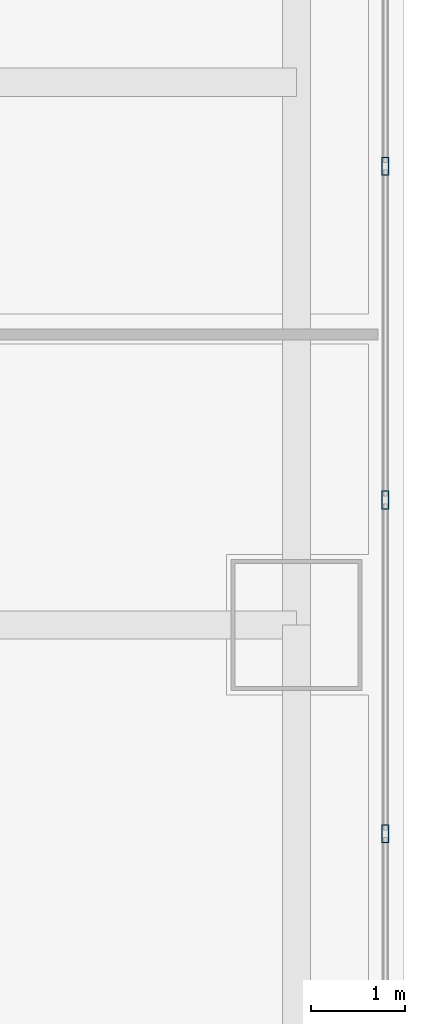
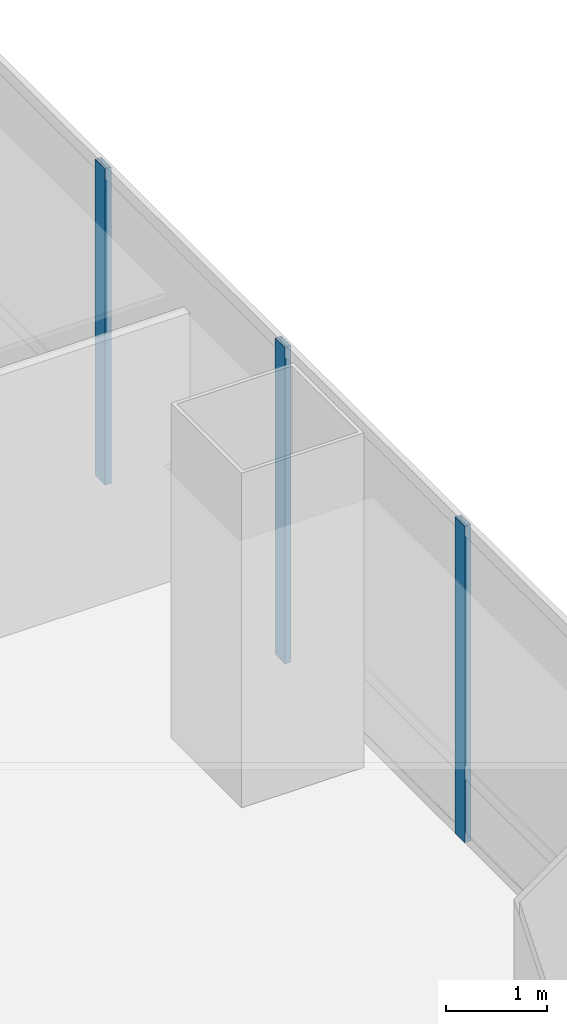
# One storey, part 17 of 36: 3 members, 1 element without a shape of its own.
"""IFC4 building model written with IfcOpenShell, lengths in metres."""

from ifc_helpers import new_model, si_unit, direction, frame, origin, origin_2d, place, context, subcontext, project, spatial, hollow_rectangle, extrude, material, material_profile, profile_set, type_object, element, aggregate, save


model = new_model("IFC4")

# Units and contexts
model_context = context("Model", 3, precision=1e-05, world=origin(), true_north=direction((0.0, 1.0)))
body_context = subcontext(model_context, "Body", "Model", "MODEL_VIEW")
ifc_project = project(units=[si_unit("LENGTHUNIT", "METRE"), si_unit("AREAUNIT", "SQUARE_METRE"), si_unit("VOLUMEUNIT", "CUBIC_METRE"), si_unit("PLANEANGLEUNIT", "RADIAN"), si_unit("MASSUNIT", "GRAM", prefix="KILO")], contexts=[model_context])

# Site, building, storey
site_placement = place(None, origin())
site = spatial("IfcSite", under=ifc_project, at=site_placement, CompositionType="ELEMENT")
building_placement = place(site_placement, origin())
building = spatial("IfcBuilding", under=site, at=building_placement, Name="Punatoya Terracotta Tower", CompositionType="ELEMENT")
storey_placement = place(building_placement, frame((0.0, 0.0, 180.300048828125)))
storey = spatial("IfcBuildingStorey", under=building, at=storey_placement, Name="L42", CompositionType="ELEMENT", Elevation=180.300048828125)

# Curtain wall, members
ifc_material_1 = material(Name="Aluminium 6063-T6 + Double Low-E Glass", Category="aluminium")
curtain_wall_type = type_object("IfcCurtainWallType", Name="CW-M2", PredefinedType="NOTDEFINED", material=ifc_material_1)
curtain_wall_placement = place(storey_placement, origin())
curtain_wall = element("IfcCurtainWall", 1, at=curtain_wall_placement, inside=storey, type_object=curtain_wall_type, Name="L42 Curtain Wall CW-L42-E05-1", PredefinedType="NOTDEFINED")
ifc_material_2 = material(Name="Aluminium 6063-T6", Category="aluminium")
ifc_material_profile = material_profile(ifc_material_2, hollow_rectangle(XDim=0.072021484375, YDim=0.195068359375, WallThickness=0.00439453125, at=origin_2d()))
ifc_profile_set = profile_set([ifc_material_profile], Name="Aluminium 6063-T6")
member_type = type_object("IfcMemberType", Name="CW-MUL-M2", PredefinedType="MULLION", material=ifc_profile_set)
member_1_placement = place(storey_placement, frame((20.050048828125, 1.16748046875, 0.0), z_axis=(0.0, 0.0, 1.0), x_axis=(1.0, 0.0, 0.0)))
member_1 = element("IfcMember", 2, at=member_1_placement, type_object=member_type, Name="CW-L42-E05-1 Mullion 06", PredefinedType="MULLION", context=body_context, shape_type="SweptSolid", body=[
    extrude(hollow_rectangle(XDim=0.072021484375, YDim=0.195068359375, WallThickness=0.00439453125, at=origin_2d()), origin(), (0.0, 0.0, 1.0), 3.829833984375),
])
member_2_placement = place(storey_placement, frame((20.050048828125, 4.73486328125, 0.0), z_axis=(0.0, 0.0, 1.0), x_axis=(1.0, 0.0, 0.0)))
member_2 = element("IfcMember", 3, at=member_2_placement, type_object=member_type, Name="CW-L42-E05-1 Mullion 07", PredefinedType="MULLION", context=body_context, shape_type="SweptSolid", body=[
    extrude(hollow_rectangle(XDim=0.072021484375, YDim=0.195068359375, WallThickness=0.00439453125, at=origin_2d()), origin(), (0.0, 0.0, 1.0), 3.829833984375),
])
member_3_placement = place(storey_placement, frame((20.050048828125, 8.302001953125, 0.0), z_axis=(0.0, 0.0, 1.0), x_axis=(1.0, 0.0, 0.0)))
member_3 = element("IfcMember", 4, at=member_3_placement, type_object=member_type, Name="CW-L42-E05-1 Mullion 08", PredefinedType="MULLION", context=body_context, shape_type="SweptSolid", body=[
    extrude(hollow_rectangle(XDim=0.072021484375, YDim=0.195068359375, WallThickness=0.00439453125, at=origin_2d()), origin(), (0.0, 0.0, 1.0), 3.829833984375),
])
aggregate(curtain_wall, [member_1, member_2, member_3])

save(model, "model.ifc")
